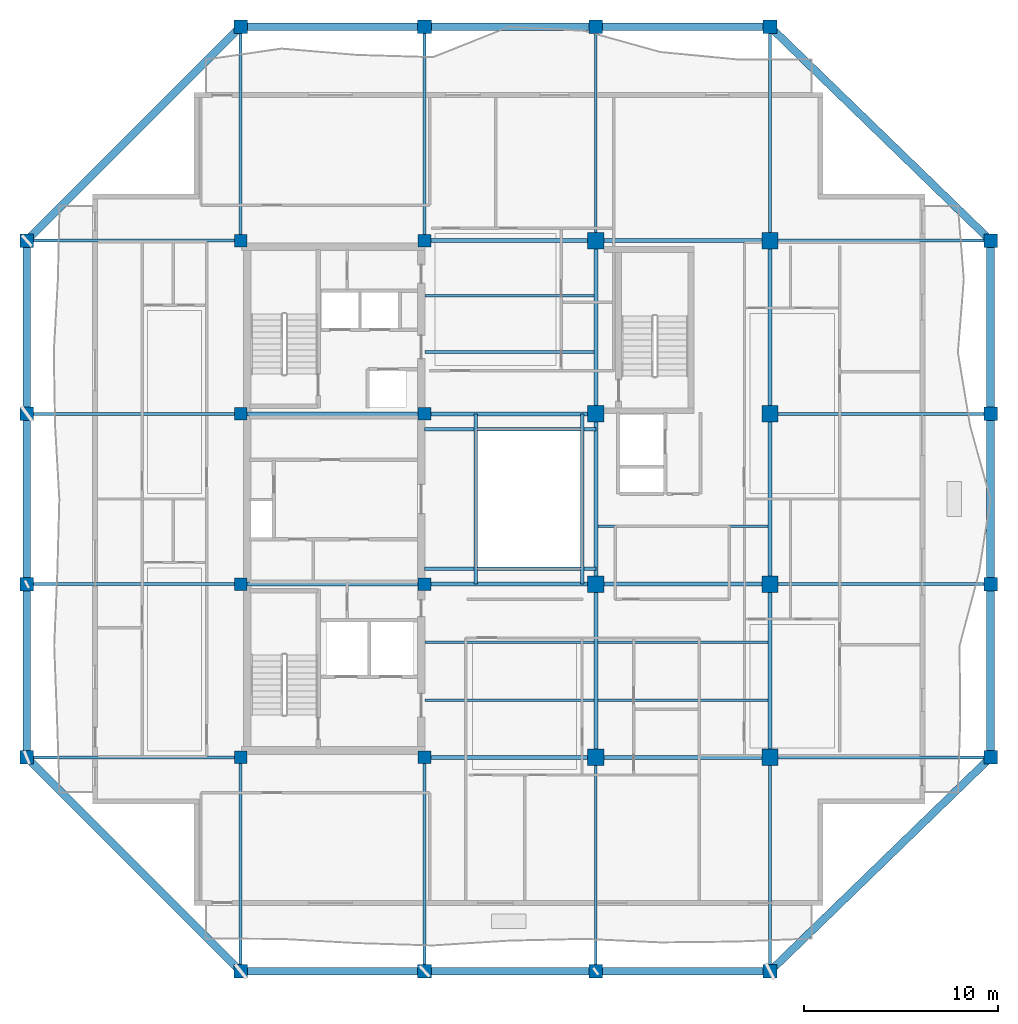
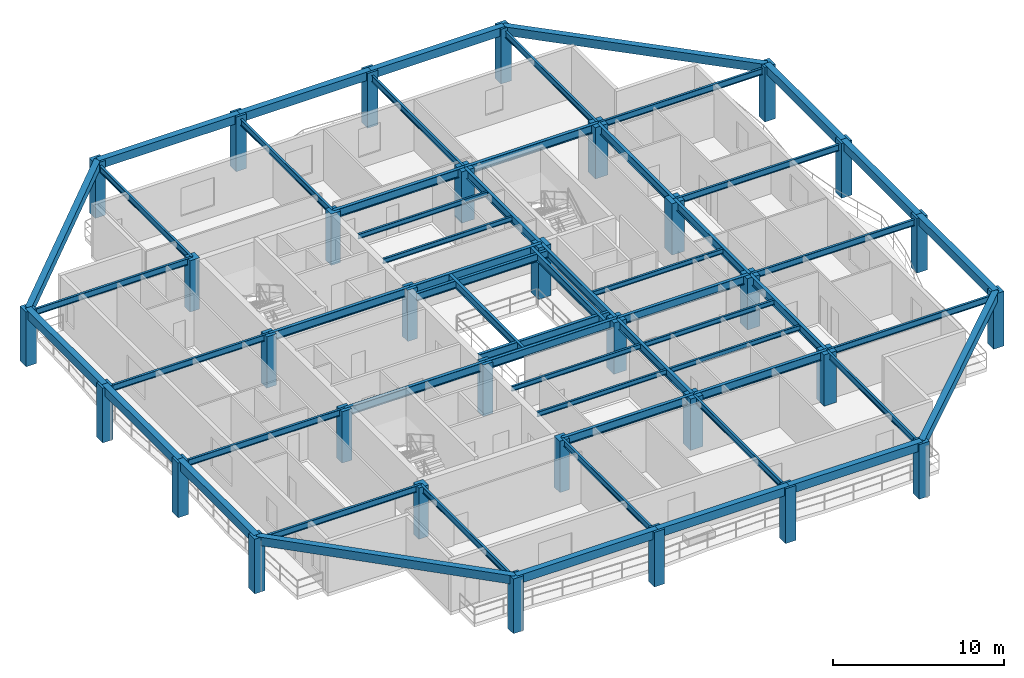
# One storey, part 1 of 11: 58 beams, 32 columns.
"""IFC4 building model written with IfcOpenShell, lengths in metres."""

import ifcopenshell
import ifcopenshell.guid

model = None  # the IFC model being written
_history = None  # IfcOwnerHistory: only IFC2X3 demands one
_inside = {}  # id of a spatial element -> (the spatial element, [elements in it])
_under = {}  # id of a project, library or spatial element -> (it, [spatial elements below it])
_declared = {}  # id of a project -> (the project, [libraries it declares])
_typed = {}  # id of a type object -> (the type object, [elements of that type])
_made_of = {}  # id of a material, layer set ... -> (it, [elements and type objects made of it])


def new_model(schema):
    """Start an empty IFC model of exactly this schema.

    Asked for "IFC4X3", IfcOpenShell would pick the latest addendum, in which some entities
    have other attributes; the version numbers below select the first issue.
    IFC2X3 requires an IfcOwnerHistory on every rooted entity: one is made here for all.
    """
    global model, _history
    if schema == "IFC4X3":
        model = ifcopenshell.file(schema_version=(4, 3, 0, 0))
    else:
        model = ifcopenshell.file(schema=schema)
    _inside.clear()
    _under.clear()
    _declared.clear()
    _typed.clear()
    _made_of.clear()
    _history = None
    if model.schema == "IFC2X3":
        org = make("IfcOrganization", Name="unknown")
        user = make(
            "IfcPersonAndOrganization",
            ThePerson=make("IfcPerson", FamilyName="unknown"),
            TheOrganization=org,
        )
        app = make(
            "IfcApplication",
            ApplicationDeveloper=org,
            Version="unknown",
            ApplicationFullName="unknown",
            ApplicationIdentifier="unknown",
        )
        _history = make(
            "IfcOwnerHistory",
            OwningUser=user,
            OwningApplication=app,
            ChangeAction="ADDED",
            CreationDate=0,
        )
    return model


def make(cls, **values):
    """One entity of the class cls with the attributes given. An attribute that is None is left unset."""
    return model.create_entity(
        cls, **{name: value for name, value in values.items() if value is not None}
    )


def rooted(cls, **values):
    """An entity with a GlobalId (a new one), such as an element, a storey or a relation."""
    return make(cls, GlobalId=ifcopenshell.guid.new(), OwnerHistory=_history, **values)


def si_unit(unit_type, name, prefix=None):
    """IfcSIUnit, for example si_unit("LENGTHUNIT", "METRE", prefix="MILLI")."""
    return make("IfcSIUnit", UnitType=unit_type, Prefix=prefix, Name=name)


def assignment(units):
    """IfcUnitAssignment: the units of a project."""
    return None if units is None else make("IfcUnitAssignment", Units=units)


def point(xyz):
    """IfcCartesianPoint."""
    return None if xyz is None else make("IfcCartesianPoint", Coordinates=xyz)


def direction(xyz):
    """IfcDirection."""
    return None if xyz is None else make("IfcDirection", DirectionRatios=xyz)


def frame(location, z_axis=None, x_axis=None):
    """IfcAxis2Placement3D, a coordinate frame: its origin and axes. An axis left out is left unset."""
    return make(
        "IfcAxis2Placement3D",
        Location=point(location),
        Axis=direction(z_axis),
        RefDirection=direction(x_axis),
    )


def frame_2d(location, x_axis=None):
    """IfcAxis2Placement2D, a coordinate frame in the plane: its origin and x axis."""
    return make(
        "IfcAxis2Placement2D", Location=point(location), RefDirection=direction(x_axis)
    )


def origin():
    """The frame at (0, 0, 0) with its axes left unset."""
    return frame((0.0, 0.0, 0.0))


def origin_2d():
    """The frame at (0, 0) in the plane with its x axis left unset."""
    return frame_2d((0.0, 0.0))


def place(relative_to, where):
    """IfcLocalPlacement: puts the frame where relative to a parent placement (None: the world)."""
    return make(
        "IfcLocalPlacement", PlacementRelTo=relative_to, RelativePlacement=where
    )


def context(
    kind, dimensions, precision=None, world=None, true_north=None, identifier=None
):
    """IfcGeometricRepresentationContext, for example the 3D "Model" context."""
    return make(
        "IfcGeometricRepresentationContext",
        ContextIdentifier=identifier,
        ContextType=kind,
        CoordinateSpaceDimension=dimensions,
        Precision=precision,
        WorldCoordinateSystem=world,
        TrueNorth=true_north,
    )


def subcontext(parent, identifier, kind, view, scale=None):
    """IfcGeometricRepresentationSubContext, for example "Body" below "Model"."""
    return make(
        "IfcGeometricRepresentationSubContext",
        ContextIdentifier=identifier,
        ContextType=kind,
        ParentContext=parent,
        TargetScale=scale,
        TargetView=view,
    )


def project(units=None, contexts=None):
    """IfcProject with its units and contexts."""
    return rooted(
        "IfcProject",
        Name="project",
        RepresentationContexts=contexts,
        UnitsInContext=assignment(units),
    )


def spatial(cls, under=None, at=None, **own):
    """A site, building, storey or space (cls), placed at a placement, below another one or the project."""
    s = rooted(cls, ObjectPlacement=at, **own)
    if under is not None:
        _under.setdefault(under.id(), (under, []))[1].append(s)
    return s


def profile(cls, at=None, kind="AREA", **sizes):
    """A parametric profile (cls). Its sizes go by their IFC names, for example OverallWidth=200.0."""
    return make(cls, ProfileType=kind, Position=at, **sizes)


def rectangle(**sizes):
    """IfcRectangleProfileDef."""
    return profile("IfcRectangleProfileDef", **sizes)


def i_section(**sizes):
    """IfcIShapeProfileDef."""
    return profile("IfcIShapeProfileDef", **sizes)


def extrude(swept, where, along, depth):
    """IfcExtrudedAreaSolid: the profile swept, set in the frame where, extruded along a direction by depth."""
    return make(
        "IfcExtrudedAreaSolid",
        SweptArea=swept,
        Position=where,
        ExtrudedDirection=direction(along),
        Depth=depth,
    )


def shape(context_of_items, identifier, shape_type, items):
    """IfcShapeRepresentation: the items that make up one representation, for example the "Body"."""
    return make(
        "IfcShapeRepresentation",
        ContextOfItems=context_of_items,
        RepresentationIdentifier=identifier,
        RepresentationType=shape_type,
        Items=items,
    )


def material(Name=None, Category=None):
    """IfcMaterial."""
    return make("IfcMaterial", Name=Name, Category=Category)


def material_profile(
    of_material, cross_section, Name=None, Category=None, Priority=None
):
    """IfcMaterialProfile: a cross section and its material."""
    return make(
        "IfcMaterialProfile",
        Name=Name,
        Material=of_material,
        Profile=cross_section,
        Priority=Priority,
        Category=Category,
    )


def profile_set(profiles, Name=None, composite=None):
    """IfcMaterialProfileSet."""
    return make(
        "IfcMaterialProfileSet",
        Name=Name,
        MaterialProfiles=profiles,
        CompositeProfile=composite,
    )


def made_of(thing, what):
    """Note that an element or type object is made of a material, layer set ...; save() writes the relation."""
    if what is not None:
        _made_of.setdefault(what.id(), (what, []))[1].append(thing)
    return thing


def type_object(cls, material=None, **own):
    """A type object (cls), such as IfcWallType, which elements share."""
    return made_of(rooted(cls, **own), material)


def element(
    cls,
    number,
    at=None,
    inside=None,
    cuts=None,
    type_object=None,
    material=None,
    context=None,
    identifier="Body",
    shape_type=None,
    held_by="IfcProductDefinitionShape",
    body=None,
    shapes=None,
    **own,
):
    """One element of the class cls, such as IfcWall. Its Tag is "e" and its number.

    at: its placement. inside: the storey or other place that contains it. cuts: it is an
    opening in that element (IfcRelVoidsElement). A single representation is given by context,
    identifier, shape_type and body (its items); several are given by shapes. held_by: the class
    of the entity that holds the representations. save() writes the other relations.
    """
    e = rooted(cls, Tag="e%d" % number, ObjectPlacement=at, **own)
    if body is not None:
        shapes = [shape(context, identifier, shape_type, body)]
    if shapes is not None:
        e.Representation = make(held_by, Representations=shapes)
    if inside is not None:
        _inside.setdefault(inside.id(), (inside, []))[1].append(e)
    if cuts is not None:
        rooted(
            "IfcRelVoidsElement", RelatingBuildingElement=cuts, RelatedOpeningElement=e
        )
    if type_object is not None:
        _typed.setdefault(type_object.id(), (type_object, []))[1].append(e)
    return made_of(e, material)


def aggregate(whole, parts):
    """IfcRelAggregates: a whole, such as a stair, and the parts it consists of."""
    return rooted("IfcRelAggregates", RelatingObject=whole, RelatedObjects=parts)


def save(model, path):
    """Write the relations noted so far, then the file.

    IfcRelAggregates (storeys below a building ...), IfcRelContainedInSpatialStructure (elements
    in a storey), IfcRelDefinesByType, IfcRelAssociatesMaterial and IfcRelDeclares: one each for
    every whole, place, type object, material and project.
    """
    for whole, parts in _under.values():
        aggregate(whole, parts)
    for where, things in _inside.values():
        rooted(
            "IfcRelContainedInSpatialStructure",
            RelatedElements=things,
            RelatingStructure=where,
        )
    for kind, things in _typed.values():
        rooted("IfcRelDefinesByType", RelatedObjects=things, RelatingType=kind)
    for what, things in _made_of.values():
        rooted("IfcRelAssociatesMaterial", RelatedObjects=things, RelatingMaterial=what)
    for by, libraries in _declared.values():
        rooted("IfcRelDeclares", RelatingContext=by, RelatedDefinitions=libraries)
    model.write(path)


model = new_model("IFC4")

# Units and contexts
model_context = context("Model", 3, precision=1e-05, world=origin(), true_north=direction((0.0, 1.0)))
body_context = subcontext(model_context, "Body", "Model", "MODEL_VIEW")
ifc_project = project(units=[si_unit("LENGTHUNIT", "METRE"), si_unit("AREAUNIT", "SQUARE_METRE"), si_unit("VOLUMEUNIT", "CUBIC_METRE"), si_unit("PLANEANGLEUNIT", "RADIAN"), si_unit("MASSUNIT", "GRAM", prefix="KILO")], contexts=[model_context])

# Site, building, storey
site_placement = place(None, origin())
site = spatial("IfcSite", under=ifc_project, at=site_placement, CompositionType="ELEMENT")
building_placement = place(site_placement, origin())
building = spatial("IfcBuilding", under=site, at=building_placement, Name="Kundavana Baori Tower", CompositionType="ELEMENT")
storey_placement = place(building_placement, frame((0.0, 0.0, 218.0)))
storey = spatial("IfcBuildingStorey", under=building, at=storey_placement, Name="L53", CompositionType="ELEMENT", Elevation=218.0)

# Columns
ifc_material_1 = material(Name="Concrete C50/60", Category="concrete")
ifc_material_profile_1 = material_profile(ifc_material_1, rectangle(XDim=0.699951171875, YDim=0.699951171875, at=origin_2d()), Name="RC PF 700x700")
ifc_profile_set_1 = profile_set([ifc_material_profile_1], Name="Concrete C50/60")
column_type_1 = type_object("IfcColumnType", Name="COL-PF-700", PredefinedType="COLUMN", material=ifc_profile_set_1)
for number, where, z_axis, x_axis, name in (
    (1, (15.449951171875, 4.199951171875, 0.0), (0.0, 0.0, 1.0), (1.0, 0.0, 0.0), "L53 Stone-Clad Perimeter Frame Column PF-S1"),
    (2, (15.449951171875, 53.0, 0.0), (0.0, 0.0, 1.0), (1.0, 0.0, 0.0), "L53 Stone-Clad Perimeter Frame Column PF-N1"),
    (3, (24.949951171875, 4.199951171875, 0.0), (0.0, 0.0, 1.0), (1.0, 0.0, 0.0), "L53 Stone-Clad Perimeter Frame Column PF-S2"),
    (4, (24.949951171875, 53.0, 0.0), (0.0, 0.0, 1.0), (1.0, 0.0, 0.0), "L53 Stone-Clad Perimeter Frame Column PF-N2"),
    (5, (33.800048828125, 4.199951171875, 0.0), (0.0, 0.0, 1.0), (1.0, 0.0, 0.0), "L53 Stone-Clad Perimeter Frame Column PF-S3"),
    (6, (33.800048828125, 53.0, 0.0), (0.0, 0.0, 1.0), (1.0, 0.0, 0.0), "L53 Stone-Clad Perimeter Frame Column PF-N3"),
    (7, (42.800048828125, 4.199951171875, 0.0), (0.0, 0.0, 1.0), (1.0, 0.0, 0.0), "L53 Stone-Clad Perimeter Frame Column PF-S4"),
    (8, (42.800048828125, 53.0, 0.0), (0.0, 0.0, 1.0), (1.0, 0.0, 0.0), "L53 Stone-Clad Perimeter Frame Column PF-N4"),
    (9, (4.39990234375, 15.25, 0.0), (0.0, 0.0, 1.0), (1.0, 0.0, 0.0), "L53 Stone-Clad Perimeter Frame Column PF-W1"),
    (10, (54.199951171875, 15.25, 0.0), (0.0, 0.0, 1.0), (1.0, 0.0, 0.0), "L53 Stone-Clad Perimeter Frame Column PF-E1"),
    (11, (4.39990234375, 24.199951171875, 0.0), (0.0, 0.0, 1.0), (1.0, 0.0, 0.0), "L53 Stone-Clad Perimeter Frame Column PF-W2"),
    (12, (54.199951171875, 24.199951171875, 0.0), (0.0, 0.0, 1.0), (1.0, 0.0, 0.0), "L53 Stone-Clad Perimeter Frame Column PF-E2"),
    (13, (4.39990234375, 33.0, 0.0), (0.0, 0.0, 1.0), (1.0, 0.0, 0.0), "L53 Stone-Clad Perimeter Frame Column PF-W3"),
    (14, (54.199951171875, 33.0, 0.0), (0.0, 0.0, 1.0), (1.0, 0.0, 0.0), "L53 Stone-Clad Perimeter Frame Column PF-E3"),
    (15, (4.39990234375, 41.949951171875, 0.0), (0.0, 0.0, 1.0), (1.0, 0.0, 0.0), "L53 Stone-Clad Perimeter Frame Column PF-W4"),
    (16, (54.199951171875, 41.949951171875, 0.0), (0.0, 0.0, 1.0), (1.0, 0.0, 0.0), "L53 Stone-Clad Perimeter Frame Column PF-E4"),
):
    element("IfcColumn", number, at=place(storey_placement, frame(where, z_axis=z_axis, x_axis=x_axis)), inside=storey, type_object=column_type_1, Name=name, PredefinedType="COLUMN", context=body_context, shape_type="SweptSolid", body=[
        extrude(rectangle(XDim=0.699951171875, YDim=0.699951171875, at=origin_2d()), origin(), (0.0, 0.0, 1.0), 3.89990234375),
    ])
ifc_material_2 = material(Name="Concrete C50/60", Category="concrete")
ifc_material_profile_2 = material_profile(ifc_material_2, rectangle(XDim=0.64990234375, YDim=0.64990234375, at=origin_2d()), Name="RC 650x650")
ifc_profile_set_2 = profile_set([ifc_material_profile_2], Name="Concrete C50/60")
column_type_2 = type_object("IfcColumnType", Name="COL-RC-650", PredefinedType="COLUMN", material=ifc_profile_set_2)
for number, where, z_axis, x_axis, name in (
    (17, (15.449951171875, 15.25, 0.0), (0.0, 0.0, 1.0), (1.0, 0.0, 0.0), "L53 Interior Column IC-3C"),
    (18, (15.449951171875, 24.199951171875, 0.0), (0.0, 0.0, 1.0), (1.0, 0.0, 0.0), "L53 Interior Column IC-3D"),
    (19, (15.449951171875, 33.0, 0.0), (0.0, 0.0, 1.0), (1.0, 0.0, 0.0), "L53 Interior Column IC-3E"),
    (20, (15.449951171875, 41.949951171875, 0.0), (0.0, 0.0, 1.0), (1.0, 0.0, 0.0), "L53 Interior Column IC-3F"),
    (21, (24.949951171875, 15.25, 0.0), (0.0, 0.0, 1.0), (1.0, 0.0, 0.0), "L53 Interior Column IC-4C"),
    (22, (24.949951171875, 24.199951171875, 0.0), (0.0, 0.0, 1.0), (1.0, 0.0, 0.0), "L53 Interior Column IC-4D"),
    (23, (24.949951171875, 33.0, 0.0), (0.0, 0.0, 1.0), (1.0, 0.0, 0.0), "L53 Interior Column IC-4E"),
    (24, (24.949951171875, 41.949951171875, 0.0), (0.0, 0.0, 1.0), (1.0, 0.0, 0.0), "L53 Interior Column IC-4F"),
):
    element("IfcColumn", number, at=place(storey_placement, frame(where, z_axis=z_axis, x_axis=x_axis)), inside=storey, type_object=column_type_2, Name=name, PredefinedType="COLUMN", context=body_context, shape_type="SweptSolid", body=[
        extrude(rectangle(XDim=0.64990234375, YDim=0.64990234375, at=origin_2d()), origin(), (0.0, 0.0, 1.0), 3.659912109375),
    ])
ifc_material_3 = material(Name="Concrete C50/60", Category="concrete")
ifc_material_profile_3 = material_profile(ifc_material_3, rectangle(XDim=0.85009765625, YDim=0.85009765625, at=origin_2d()), Name="RC 850x850")
ifc_profile_set_3 = profile_set([ifc_material_profile_3], Name="Concrete C50/60")
column_type_3 = type_object("IfcColumnType", Name="COL-RC-850", PredefinedType="COLUMN", material=ifc_profile_set_3)
for number, where, z_axis, x_axis, name in (
    (25, (33.800048828125, 15.25, 0.0), (0.0, 0.0, 1.0), (1.0, 0.0, 0.0), "L53 Interior Column IC-5C"),
    (26, (33.800048828125, 24.199951171875, 0.0), (0.0, 0.0, 1.0), (1.0, 0.0, 0.0), "L53 Interior Column IC-5D"),
    (27, (33.800048828125, 33.0, 0.0), (0.0, 0.0, 1.0), (1.0, 0.0, 0.0), "L53 Interior Column IC-5E"),
    (28, (33.800048828125, 41.949951171875, 0.0), (0.0, 0.0, 1.0), (1.0, 0.0, 0.0), "L53 Interior Column IC-5F"),
    (29, (42.800048828125, 15.25, 0.0), (0.0, 0.0, 1.0), (1.0, 0.0, 0.0), "L53 Interior Column IC-6C"),
    (30, (42.800048828125, 24.199951171875, 0.0), (0.0, 0.0, 1.0), (1.0, 0.0, 0.0), "L53 Interior Column IC-6D"),
    (31, (42.800048828125, 33.0, 0.0), (0.0, 0.0, 1.0), (1.0, 0.0, 0.0), "L53 Interior Column IC-6E"),
    (32, (42.800048828125, 41.949951171875, 0.0), (0.0, 0.0, 1.0), (1.0, 0.0, 0.0), "L53 Interior Column IC-6F"),
):
    element("IfcColumn", number, at=place(storey_placement, frame(where, z_axis=z_axis, x_axis=x_axis)), inside=storey, type_object=column_type_3, Name=name, PredefinedType="COLUMN", context=body_context, shape_type="SweptSolid", body=[
        extrude(rectangle(XDim=0.85009765625, YDim=0.85009765625, at=origin_2d()), origin(), (0.0, 0.0, 1.0), 3.659912109375),
    ])

# Beams
ifc_material_4 = material(Name="Structural Steel S355JR", Category="steel")
ifc_material_profile_4 = material_profile(ifc_material_4, i_section(OverallWidth=0.139892578125, OverallDepth=0.35009765625, WebThickness=0.008056640625, FlangeThickness=0.01416015625, FilletRadius=0.013916015625, at=origin_2d()), Name="ISMB 350")
ifc_profile_set_4 = profile_set([ifc_material_profile_4], Name="Structural Steel S355JR")
beam_type_1 = type_object("IfcBeamType", Name="BM-JST-350", PredefinedType="JOIST", material=ifc_profile_set_4)
for number, where, z_axis, x_axis, name in (
    (33, (24.97998046875, 18.199951171875, 3.485107421875), (1.0, 0.0, 0.0), (0.0, 1.0, 0.0), "L53 Central Bay Composite Floor Joist C1"),
    (34, (24.97998046875, 21.199951171875, 3.485107421875), (1.0, 0.0, 0.0), (0.0, 1.0, 0.0), "L53 Central Bay Composite Floor Joist C2"),
    (35, (24.97998046875, 36.199951171875, 3.485107421875), (1.0, 0.0, 0.0), (0.0, 1.0, 0.0), "L53 Central Bay Composite Floor Joist C3"),
    (36, (24.97998046875, 39.10009765625, 3.485107421875), (1.0, 0.0, 0.0), (0.0, 1.0, 0.0), "L53 Central Bay Composite Floor Joist C4"),
):
    element("IfcBeam", number, at=place(storey_placement, frame(where, z_axis=z_axis, x_axis=x_axis)), inside=storey, type_object=beam_type_1, Name=name, PredefinedType="JOIST", context=body_context, shape_type="SweptSolid", body=[
        extrude(i_section(OverallWidth=0.139892578125, OverallDepth=0.35009765625, WebThickness=0.008056640625, FlangeThickness=0.01416015625, FilletRadius=0.013916015625, at=origin_2d()), origin(), (0.0, 0.0, 1.0), 8.715087890625),
    ])
for number, where, z_axis, x_axis, name in (
    (37, (33.905029296875, 18.199951171875, 3.485107421875), (1.0, 0.0, 0.0), (0.0, 1.0, 0.0), "L53 East Bay Composite Floor Joist E1"),
    (38, (33.905029296875, 21.199951171875, 3.485107421875), (1.0, 0.0, 0.0), (0.0, 1.0, 0.0), "L53 East Bay Composite Floor Joist E2"),
    (39, (33.905029296875, 27.199951171875, 3.485107421875), (1.0, 0.0, 0.0), (0.0, 1.0, 0.0), "L53 East Bay Composite Floor Joist E3"),
):
    element("IfcBeam", number, at=place(storey_placement, frame(where, z_axis=z_axis, x_axis=x_axis)), inside=storey, type_object=beam_type_1, Name=name, PredefinedType="JOIST", context=body_context, shape_type="SweptSolid", body=[
        extrude(i_section(OverallWidth=0.139892578125, OverallDepth=0.35009765625, WebThickness=0.008056640625, FlangeThickness=0.01416015625, FilletRadius=0.013916015625, at=origin_2d()), origin(), (0.0, 0.0, 1.0), 8.7900390625),
    ])
ifc_material_5 = material(Name="Concrete C50/60", Category="concrete")
ifc_material_profile_5 = material_profile(ifc_material_5, rectangle(XDim=0.39990234375, YDim=0.60009765625, at=origin_2d()), Name="RC BM 400x600")
ifc_profile_set_5 = profile_set([ifc_material_profile_5], Name="Concrete C50/60")
beam_type_2 = type_object("IfcBeamType", Name="BM-PF-600", PredefinedType="SPANDREL", material=ifc_profile_set_5)
beam_1_placement = place(storey_placement, frame((15.449951171875, 4.199951171875, 3.60009765625), z_axis=(1.0, 0.0, 0.0), x_axis=(0.0, 1.0, 0.0)))
element("IfcBeam", 40, at=beam_1_placement, inside=storey, type_object=beam_type_2, Name="L53 Perimeter Frame Ring Beam S1", PredefinedType="SPANDREL", context=body_context, shape_type="SweptSolid", body=[
    extrude(rectangle(XDim=0.39990234375, YDim=0.60009765625, at=origin_2d()), origin(), (0.0, 0.0, 1.0), 9.5),
])
beam_2_placement = place(storey_placement, frame((24.949951171875, 4.199951171875, 3.60009765625), z_axis=(1.0, 0.0, 0.0), x_axis=(0.0, 1.0, 0.0)))
element("IfcBeam", 41, at=beam_2_placement, inside=storey, type_object=beam_type_2, Name="L53 Perimeter Frame Ring Beam S2", PredefinedType="SPANDREL", context=body_context, shape_type="SweptSolid", body=[
    extrude(rectangle(XDim=0.39990234375, YDim=0.60009765625, at=origin_2d()), origin(), (0.0, 0.0, 1.0), 8.85009765625),
])
beam_3_placement = place(storey_placement, frame((33.800048828125, 4.199951171875, 3.60009765625), z_axis=(1.0, 0.0, 0.0), x_axis=(0.0, 1.0, 0.0)))
element("IfcBeam", 42, at=beam_3_placement, inside=storey, type_object=beam_type_2, Name="L53 Perimeter Frame Ring Beam S3", PredefinedType="SPANDREL", context=body_context, shape_type="SweptSolid", body=[
    extrude(rectangle(XDim=0.39990234375, YDim=0.60009765625, at=origin_2d()), origin(), (0.0, 0.0, 1.0), 9.0),
])
beam_4_placement = place(storey_placement, frame((15.449951171875, 53.0, 3.60009765625), z_axis=(1.0, 0.0, 0.0), x_axis=(0.0, 1.0, 0.0)))
element("IfcBeam", 43, at=beam_4_placement, inside=storey, type_object=beam_type_2, Name="L53 Perimeter Frame Ring Beam N1", PredefinedType="SPANDREL", context=body_context, shape_type="SweptSolid", body=[
    extrude(rectangle(XDim=0.39990234375, YDim=0.60009765625, at=origin_2d()), origin(), (0.0, 0.0, 1.0), 9.5),
])
beam_5_placement = place(storey_placement, frame((24.949951171875, 53.0, 3.60009765625), z_axis=(1.0, 0.0, 0.0), x_axis=(0.0, 1.0, 0.0)))
element("IfcBeam", 44, at=beam_5_placement, inside=storey, type_object=beam_type_2, Name="L53 Perimeter Frame Ring Beam N2", PredefinedType="SPANDREL", context=body_context, shape_type="SweptSolid", body=[
    extrude(rectangle(XDim=0.39990234375, YDim=0.60009765625, at=origin_2d()), origin(), (0.0, 0.0, 1.0), 8.85009765625),
])
beam_6_placement = place(storey_placement, frame((33.800048828125, 53.0, 3.60009765625), z_axis=(1.0, 0.0, 0.0), x_axis=(0.0, 1.0, 0.0)))
element("IfcBeam", 45, at=beam_6_placement, inside=storey, type_object=beam_type_2, Name="L53 Perimeter Frame Ring Beam N3", PredefinedType="SPANDREL", context=body_context, shape_type="SweptSolid", body=[
    extrude(rectangle(XDim=0.39990234375, YDim=0.60009765625, at=origin_2d()), origin(), (0.0, 0.0, 1.0), 9.0),
])
beam_7_placement = place(storey_placement, frame((4.39990234375, 15.25, 3.60009765625), z_axis=(0.0, 1.0, 0.0), x_axis=(-1.0, 0.0, 0.0)))
element("IfcBeam", 46, at=beam_7_placement, inside=storey, type_object=beam_type_2, Name="L53 Perimeter Frame Ring Beam W1", PredefinedType="SPANDREL", context=body_context, shape_type="SweptSolid", body=[
    extrude(rectangle(XDim=0.39990234375, YDim=0.60009765625, at=origin_2d()), origin(), (0.0, 0.0, 1.0), 8.949951171875),
])
beam_8_placement = place(storey_placement, frame((4.39990234375, 24.199951171875, 3.60009765625), z_axis=(0.0, 1.0, 0.0), x_axis=(-1.0, 0.0, 0.0)))
element("IfcBeam", 47, at=beam_8_placement, inside=storey, type_object=beam_type_2, Name="L53 Perimeter Frame Ring Beam W2", PredefinedType="SPANDREL", context=body_context, shape_type="SweptSolid", body=[
    extrude(rectangle(XDim=0.39990234375, YDim=0.60009765625, at=origin_2d()), origin(), (0.0, 0.0, 1.0), 8.800048828125),
])
for number, where, z_axis, x_axis, name in (
    (48, (4.39990234375, 33.0, 3.60009765625), (0.0, 1.0, 0.0), (-1.0, 0.0, 0.0), "L53 Perimeter Frame Ring Beam W3"),
    (49, (54.199951171875, 15.25, 3.60009765625), (0.0, 1.0, 0.0), (-1.0, 0.0, 0.0), "L53 Perimeter Frame Ring Beam E1"),
):
    element("IfcBeam", number, at=place(storey_placement, frame(where, z_axis=z_axis, x_axis=x_axis)), inside=storey, type_object=beam_type_2, Name=name, PredefinedType="SPANDREL", context=body_context, shape_type="SweptSolid", body=[
        extrude(rectangle(XDim=0.39990234375, YDim=0.60009765625, at=origin_2d()), origin(), (0.0, 0.0, 1.0), 8.949951171875),
    ])
beam_9_placement = place(storey_placement, frame((54.199951171875, 24.199951171875, 3.60009765625), z_axis=(0.0, 1.0, 0.0), x_axis=(-1.0, 0.0, 0.0)))
element("IfcBeam", 50, at=beam_9_placement, inside=storey, type_object=beam_type_2, Name="L53 Perimeter Frame Ring Beam E2", PredefinedType="SPANDREL", context=body_context, shape_type="SweptSolid", body=[
    extrude(rectangle(XDim=0.39990234375, YDim=0.60009765625, at=origin_2d()), origin(), (0.0, 0.0, 1.0), 8.800048828125),
])
beam_10_placement = place(storey_placement, frame((54.199951171875, 33.0, 3.60009765625), z_axis=(0.0, 1.0, 0.0), x_axis=(-1.0, 0.0, 0.0)))
element("IfcBeam", 51, at=beam_10_placement, inside=storey, type_object=beam_type_2, Name="L53 Perimeter Frame Ring Beam E3", PredefinedType="SPANDREL", context=body_context, shape_type="SweptSolid", body=[
    extrude(rectangle(XDim=0.39990234375, YDim=0.60009765625, at=origin_2d()), origin(), (0.0, 0.0, 1.0), 8.949951171875),
])
beam_11_placement = place(storey_placement, frame((15.449951171875, 4.199951171875, 3.60009765625), z_axis=(-0.707106781187, 0.707106781187, 0.0), x_axis=(-0.707106781187, -0.707106781187, 0.0)))
element("IfcBeam", 52, at=beam_11_placement, inside=storey, type_object=beam_type_2, Name="L53 Notched Corner Perimeter Beam SW", PredefinedType="SPANDREL", context=body_context, shape_type="SweptSolid", body=[
    extrude(rectangle(XDim=0.39990234375, YDim=0.60009765625, at=origin_2d()), origin(), (0.0, 0.0, 1.0), 15.627197265625),
])
beam_12_placement = place(storey_placement, frame((42.800048828125, 4.199951171875, 3.60009765625), z_axis=(0.718038944492, 0.696002926857, 0.0), x_axis=(-0.696002926857, 0.718038944492, 0.0)))
element("IfcBeam", 53, at=beam_12_placement, inside=storey, type_object=beam_type_2, Name="L53 Notched Corner Perimeter Beam SE", PredefinedType="SPANDREL", context=body_context, shape_type="SweptSolid", body=[
    extrude(rectangle(XDim=0.39990234375, YDim=0.60009765625, at=origin_2d()), origin(), (0.0, 0.0, 1.0), 15.87646484375),
])
beam_13_placement = place(storey_placement, frame((15.449951171875, 53.0, 3.60009765625), z_axis=(-0.707106781187, -0.707106781187, 0.0), x_axis=(0.707106781187, -0.707106781187, 0.0)))
element("IfcBeam", 54, at=beam_13_placement, inside=storey, type_object=beam_type_2, Name="L53 Notched Corner Perimeter Beam NW", PredefinedType="SPANDREL", context=body_context, shape_type="SweptSolid", body=[
    extrude(rectangle(XDim=0.39990234375, YDim=0.60009765625, at=origin_2d()), origin(), (0.0, 0.0, 1.0), 15.627197265625),
])
beam_14_placement = place(storey_placement, frame((42.800048828125, 53.0, 3.60009765625), z_axis=(0.718038944492, -0.696002926857, 0.0), x_axis=(0.696002926857, 0.718038944492, 0.0)))
element("IfcBeam", 55, at=beam_14_placement, inside=storey, type_object=beam_type_2, Name="L53 Notched Corner Perimeter Beam NE", PredefinedType="SPANDREL", context=body_context, shape_type="SweptSolid", body=[
    extrude(rectangle(XDim=0.39990234375, YDim=0.60009765625, at=origin_2d()), origin(), (0.0, 0.0, 1.0), 15.87646484375),
])
ifc_material_6 = material(Name="Structural Steel S355JR", Category="steel")
ifc_material_profile_6 = material_profile(ifc_material_6, i_section(OverallWidth=0.18994140625, OverallDepth=0.550048828125, WebThickness=0.01123046875, FlangeThickness=0.019287109375, FilletRadius=0.01806640625, at=origin_2d()), Name="ISMB 550")
ifc_profile_set_6 = profile_set([ifc_material_profile_6], Name="Structural Steel S355JR")
beam_type_3 = type_object("IfcBeamType", Name="BM-ST-550", PredefinedType="BEAM", material=ifc_profile_set_6)
for number, where, z_axis, x_axis, name in (
    (56, (27.60009765625, 24.199951171875, 3.385009765625), (0.0, 1.0, 0.0), (-1.0, 0.0, 0.0), "L53 Atrium West Edge Beam"),
    (57, (33.10009765625, 24.199951171875, 3.385009765625), (0.0, 1.0, 0.0), (-1.0, 0.0, 0.0), "L53 Atrium East Edge Beam"),
):
    element("IfcBeam", number, at=place(storey_placement, frame(where, z_axis=z_axis, x_axis=x_axis)), inside=storey, type_object=beam_type_3, Name=name, PredefinedType="BEAM", context=body_context, shape_type="SweptSolid", body=[
        extrude(i_section(OverallWidth=0.18994140625, OverallDepth=0.550048828125, WebThickness=0.01123046875, FlangeThickness=0.019287109375, FilletRadius=0.01806640625, at=origin_2d()), origin(), (0.0, 0.0, 1.0), 8.800048828125),
    ])
for number, where, z_axis, x_axis, name in (
    (58, (24.949951171875, 25.0, 3.385009765625), (1.0, 0.0, 0.0), (0.0, 1.0, 0.0), "L53 Atrium South Edge Beam"),
    (59, (24.949951171875, 32.199951171875, 3.385009765625), (1.0, 0.0, 0.0), (0.0, 1.0, 0.0), "L53 Atrium North Edge Beam"),
):
    element("IfcBeam", number, at=place(storey_placement, frame(where, z_axis=z_axis, x_axis=x_axis)), inside=storey, type_object=beam_type_3, Name=name, PredefinedType="BEAM", context=body_context, shape_type="SweptSolid", body=[
        extrude(i_section(OverallWidth=0.18994140625, OverallDepth=0.550048828125, WebThickness=0.01123046875, FlangeThickness=0.019287109375, FilletRadius=0.01806640625, at=origin_2d()), origin(), (0.0, 0.0, 1.0), 8.85009765625),
    ])
ifc_material_7 = material(Name="Structural Steel S355JR", Category="steel")
ifc_material_profile_7 = material_profile(ifc_material_7, i_section(OverallWidth=0.2099609375, OverallDepth=0.60009765625, WebThickness=0.011962890625, FlangeThickness=0.020751953125, FilletRadius=0.02001953125, at=origin_2d()), Name="ISMB 600")
ifc_profile_set_7 = profile_set([ifc_material_profile_7], Name="Structural Steel S355JR")
beam_type_4 = type_object("IfcBeamType", Name="BM-ST-600", PredefinedType="BEAM", material=ifc_profile_set_7)
beam_15_placement = place(storey_placement, frame((24.949951171875, 15.25, 3.360107421875), z_axis=(1.0, 0.0, 0.0), x_axis=(0.0, 1.0, 0.0)))
element("IfcBeam", 60, at=beam_15_placement, inside=storey, type_object=beam_type_4, Name="L53 Primary Grid Girder GX-1-2", PredefinedType="BEAM", context=body_context, shape_type="SweptSolid", body=[
    extrude(i_section(OverallWidth=0.2099609375, OverallDepth=0.60009765625, WebThickness=0.011962890625, FlangeThickness=0.020751953125, FilletRadius=0.02001953125, at=origin_2d()), origin(), (0.0, 0.0, 1.0), 8.85009765625),
])
beam_16_placement = place(storey_placement, frame((33.800048828125, 15.25, 3.360107421875), z_axis=(1.0, 0.0, 0.0), x_axis=(0.0, 1.0, 0.0)))
element("IfcBeam", 61, at=beam_16_placement, inside=storey, type_object=beam_type_4, Name="L53 Primary Grid Girder GX-1-3", PredefinedType="BEAM", context=body_context, shape_type="SweptSolid", body=[
    extrude(i_section(OverallWidth=0.2099609375, OverallDepth=0.60009765625, WebThickness=0.011962890625, FlangeThickness=0.020751953125, FilletRadius=0.02001953125, at=origin_2d()), origin(), (0.0, 0.0, 1.0), 9.0),
])
beam_17_placement = place(storey_placement, frame((15.449951171875, 24.199951171875, 3.360107421875), z_axis=(1.0, 0.0, 0.0), x_axis=(0.0, 1.0, 0.0)))
element("IfcBeam", 62, at=beam_17_placement, inside=storey, type_object=beam_type_4, Name="L53 Primary Grid Girder GX-2-1", PredefinedType="BEAM", context=body_context, shape_type="SweptSolid", body=[
    extrude(i_section(OverallWidth=0.2099609375, OverallDepth=0.60009765625, WebThickness=0.011962890625, FlangeThickness=0.020751953125, FilletRadius=0.02001953125, at=origin_2d()), origin(), (0.0, 0.0, 1.0), 9.5),
])
beam_18_placement = place(storey_placement, frame((24.949951171875, 24.199951171875, 3.360107421875), z_axis=(1.0, 0.0, 0.0), x_axis=(0.0, 1.0, 0.0)))
element("IfcBeam", 63, at=beam_18_placement, inside=storey, type_object=beam_type_4, Name="L53 Primary Grid Girder GX-2-2", PredefinedType="BEAM", context=body_context, shape_type="SweptSolid", body=[
    extrude(i_section(OverallWidth=0.2099609375, OverallDepth=0.60009765625, WebThickness=0.011962890625, FlangeThickness=0.020751953125, FilletRadius=0.02001953125, at=origin_2d()), origin(), (0.0, 0.0, 1.0), 8.85009765625),
])
beam_19_placement = place(storey_placement, frame((33.800048828125, 24.199951171875, 3.360107421875), z_axis=(1.0, 0.0, 0.0), x_axis=(0.0, 1.0, 0.0)))
element("IfcBeam", 64, at=beam_19_placement, inside=storey, type_object=beam_type_4, Name="L53 Primary Grid Girder GX-2-3", PredefinedType="BEAM", context=body_context, shape_type="SweptSolid", body=[
    extrude(i_section(OverallWidth=0.2099609375, OverallDepth=0.60009765625, WebThickness=0.011962890625, FlangeThickness=0.020751953125, FilletRadius=0.02001953125, at=origin_2d()), origin(), (0.0, 0.0, 1.0), 9.0),
])
beam_20_placement = place(storey_placement, frame((15.449951171875, 33.0, 3.360107421875), z_axis=(1.0, 0.0, 0.0), x_axis=(0.0, 1.0, 0.0)))
element("IfcBeam", 65, at=beam_20_placement, inside=storey, type_object=beam_type_4, Name="L53 Primary Grid Girder GX-3-1", PredefinedType="BEAM", context=body_context, shape_type="SweptSolid", body=[
    extrude(i_section(OverallWidth=0.2099609375, OverallDepth=0.60009765625, WebThickness=0.011962890625, FlangeThickness=0.020751953125, FilletRadius=0.02001953125, at=origin_2d()), origin(), (0.0, 0.0, 1.0), 9.5),
])
for number, where, z_axis, x_axis, name in (
    (66, (24.949951171875, 33.0, 3.360107421875), (1.0, 0.0, 0.0), (0.0, 1.0, 0.0), "L53 Primary Grid Girder GX-3-2"),
    (67, (24.949951171875, 41.949951171875, 3.360107421875), (1.0, 0.0, 0.0), (0.0, 1.0, 0.0), "L53 Primary Grid Girder GX-4-2"),
):
    element("IfcBeam", number, at=place(storey_placement, frame(where, z_axis=z_axis, x_axis=x_axis)), inside=storey, type_object=beam_type_4, Name=name, PredefinedType="BEAM", context=body_context, shape_type="SweptSolid", body=[
        extrude(i_section(OverallWidth=0.2099609375, OverallDepth=0.60009765625, WebThickness=0.011962890625, FlangeThickness=0.020751953125, FilletRadius=0.02001953125, at=origin_2d()), origin(), (0.0, 0.0, 1.0), 8.85009765625),
    ])
beam_21_placement = place(storey_placement, frame((33.800048828125, 41.949951171875, 3.360107421875), z_axis=(1.0, 0.0, 0.0), x_axis=(0.0, 1.0, 0.0)))
element("IfcBeam", 68, at=beam_21_placement, inside=storey, type_object=beam_type_4, Name="L53 Primary Grid Girder GX-4-3", PredefinedType="BEAM", context=body_context, shape_type="SweptSolid", body=[
    extrude(i_section(OverallWidth=0.2099609375, OverallDepth=0.60009765625, WebThickness=0.011962890625, FlangeThickness=0.020751953125, FilletRadius=0.02001953125, at=origin_2d()), origin(), (0.0, 0.0, 1.0), 9.0),
])
beam_22_placement = place(storey_placement, frame((33.800048828125, 15.25, 3.360107421875), z_axis=(0.0, 1.0, 0.0), x_axis=(-1.0, 0.0, 0.0)))
element("IfcBeam", 69, at=beam_22_placement, inside=storey, type_object=beam_type_4, Name="L53 Primary Grid Girder GY-3-1", PredefinedType="BEAM", context=body_context, shape_type="SweptSolid", body=[
    extrude(i_section(OverallWidth=0.2099609375, OverallDepth=0.60009765625, WebThickness=0.011962890625, FlangeThickness=0.020751953125, FilletRadius=0.02001953125, at=origin_2d()), origin(), (0.0, 0.0, 1.0), 8.949951171875),
])
beam_23_placement = place(storey_placement, frame((33.800048828125, 24.199951171875, 3.360107421875), z_axis=(0.0, 1.0, 0.0), x_axis=(-1.0, 0.0, 0.0)))
element("IfcBeam", 70, at=beam_23_placement, inside=storey, type_object=beam_type_4, Name="L53 Primary Grid Girder GY-3-2", PredefinedType="BEAM", context=body_context, shape_type="SweptSolid", body=[
    extrude(i_section(OverallWidth=0.2099609375, OverallDepth=0.60009765625, WebThickness=0.011962890625, FlangeThickness=0.020751953125, FilletRadius=0.02001953125, at=origin_2d()), origin(), (0.0, 0.0, 1.0), 8.800048828125),
])
for number, where, z_axis, x_axis, name in (
    (71, (33.800048828125, 33.0, 3.360107421875), (0.0, 1.0, 0.0), (-1.0, 0.0, 0.0), "L53 Primary Grid Girder GY-3-3"),
    (72, (42.800048828125, 15.25, 3.360107421875), (0.0, 1.0, 0.0), (-1.0, 0.0, 0.0), "L53 Primary Grid Girder GY-4-1"),
):
    element("IfcBeam", number, at=place(storey_placement, frame(where, z_axis=z_axis, x_axis=x_axis)), inside=storey, type_object=beam_type_4, Name=name, PredefinedType="BEAM", context=body_context, shape_type="SweptSolid", body=[
        extrude(i_section(OverallWidth=0.2099609375, OverallDepth=0.60009765625, WebThickness=0.011962890625, FlangeThickness=0.020751953125, FilletRadius=0.02001953125, at=origin_2d()), origin(), (0.0, 0.0, 1.0), 8.949951171875),
    ])
beam_24_placement = place(storey_placement, frame((42.800048828125, 24.199951171875, 3.360107421875), z_axis=(0.0, 1.0, 0.0), x_axis=(-1.0, 0.0, 0.0)))
element("IfcBeam", 73, at=beam_24_placement, inside=storey, type_object=beam_type_4, Name="L53 Primary Grid Girder GY-4-2", PredefinedType="BEAM", context=body_context, shape_type="SweptSolid", body=[
    extrude(i_section(OverallWidth=0.2099609375, OverallDepth=0.60009765625, WebThickness=0.011962890625, FlangeThickness=0.020751953125, FilletRadius=0.02001953125, at=origin_2d()), origin(), (0.0, 0.0, 1.0), 8.800048828125),
])
beam_25_placement = place(storey_placement, frame((42.800048828125, 33.0, 3.360107421875), z_axis=(0.0, 1.0, 0.0), x_axis=(-1.0, 0.0, 0.0)))
element("IfcBeam", 74, at=beam_25_placement, inside=storey, type_object=beam_type_4, Name="L53 Primary Grid Girder GY-4-3", PredefinedType="BEAM", context=body_context, shape_type="SweptSolid", body=[
    extrude(i_section(OverallWidth=0.2099609375, OverallDepth=0.60009765625, WebThickness=0.011962890625, FlangeThickness=0.020751953125, FilletRadius=0.02001953125, at=origin_2d()), origin(), (0.0, 0.0, 1.0), 8.949951171875),
])
ifc_material_8 = material(Name="Structural Steel S355JR", Category="steel")
ifc_material_profile_8 = material_profile(ifc_material_8, i_section(OverallWidth=0.14990234375, OverallDepth=0.449951171875, WebThickness=0.009521484375, FlangeThickness=0.017333984375, FilletRadius=0.014892578125, at=origin_2d()), Name="ISMB 450")
ifc_profile_set_8 = profile_set([ifc_material_profile_8], Name="Structural Steel S355JR")
beam_type_5 = type_object("IfcBeamType", Name="BM-TIE-450", PredefinedType="BEAM", material=ifc_profile_set_8)
for number, where, z_axis, x_axis, name in (
    (75, (15.449951171875, 15.25, 3.43505859375), (0.0, -1.0, 0.0), (1.0, 0.0, 0.0), "L53 South Radial Loggia Tie Beam S1"),
    (76, (15.449951171875, 41.949951171875, 3.43505859375), (0.0, 1.0, 0.0), (-1.0, 0.0, 0.0), "L53 North Radial Loggia Tie Beam N1"),
    (77, (24.949951171875, 15.25, 3.43505859375), (0.0, -1.0, 0.0), (1.0, 0.0, 0.0), "L53 South Radial Loggia Tie Beam S2"),
    (78, (24.949951171875, 41.949951171875, 3.43505859375), (0.0, 1.0, 0.0), (-1.0, 0.0, 0.0), "L53 North Radial Loggia Tie Beam N2"),
    (79, (33.800048828125, 15.25, 3.43505859375), (0.0, -1.0, 0.0), (1.0, 0.0, 0.0), "L53 South Radial Loggia Tie Beam S3"),
    (80, (33.800048828125, 41.949951171875, 3.43505859375), (0.0, 1.0, 0.0), (-1.0, 0.0, 0.0), "L53 North Radial Loggia Tie Beam N3"),
    (81, (42.800048828125, 15.25, 3.43505859375), (0.0, -1.0, 0.0), (1.0, 0.0, 0.0), "L53 South Radial Loggia Tie Beam S4"),
    (82, (42.800048828125, 41.949951171875, 3.43505859375), (0.0, 1.0, 0.0), (-1.0, 0.0, 0.0), "L53 North Radial Loggia Tie Beam N4"),
    (83, (15.449951171875, 15.25, 3.43505859375), (-1.0, 0.0, 0.0), (0.0, -1.0, 0.0), "L53 West Radial Loggia Tie Beam W1"),
):
    element("IfcBeam", number, at=place(storey_placement, frame(where, z_axis=z_axis, x_axis=x_axis)), inside=storey, type_object=beam_type_5, Name=name, PredefinedType="BEAM", context=body_context, shape_type="SweptSolid", body=[
        extrude(i_section(OverallWidth=0.14990234375, OverallDepth=0.449951171875, WebThickness=0.009521484375, FlangeThickness=0.017333984375, FilletRadius=0.014892578125, at=origin_2d()), origin(), (0.0, 0.0, 1.0), 11.050048828125),
    ])
beam_26_placement = place(storey_placement, frame((42.800048828125, 15.25, 3.43505859375), z_axis=(1.0, 0.0, 0.0), x_axis=(0.0, 1.0, 0.0)))
element("IfcBeam", 84, at=beam_26_placement, inside=storey, type_object=beam_type_5, Name="L53 East Radial Loggia Tie Beam E1", PredefinedType="BEAM", context=body_context, shape_type="SweptSolid", body=[
    extrude(i_section(OverallWidth=0.14990234375, OverallDepth=0.449951171875, WebThickness=0.009521484375, FlangeThickness=0.017333984375, FilletRadius=0.014892578125, at=origin_2d()), origin(), (0.0, 0.0, 1.0), 11.39990234375),
])
beam_27_placement = place(storey_placement, frame((15.449951171875, 24.199951171875, 3.43505859375), z_axis=(-1.0, 0.0, 0.0), x_axis=(0.0, -1.0, 0.0)))
element("IfcBeam", 85, at=beam_27_placement, inside=storey, type_object=beam_type_5, Name="L53 West Radial Loggia Tie Beam W2", PredefinedType="BEAM", context=body_context, shape_type="SweptSolid", body=[
    extrude(i_section(OverallWidth=0.14990234375, OverallDepth=0.449951171875, WebThickness=0.009521484375, FlangeThickness=0.017333984375, FilletRadius=0.014892578125, at=origin_2d()), origin(), (0.0, 0.0, 1.0), 11.050048828125),
])
beam_28_placement = place(storey_placement, frame((42.800048828125, 24.199951171875, 3.43505859375), z_axis=(1.0, 0.0, 0.0), x_axis=(0.0, 1.0, 0.0)))
element("IfcBeam", 86, at=beam_28_placement, inside=storey, type_object=beam_type_5, Name="L53 East Radial Loggia Tie Beam E2", PredefinedType="BEAM", context=body_context, shape_type="SweptSolid", body=[
    extrude(i_section(OverallWidth=0.14990234375, OverallDepth=0.449951171875, WebThickness=0.009521484375, FlangeThickness=0.017333984375, FilletRadius=0.014892578125, at=origin_2d()), origin(), (0.0, 0.0, 1.0), 11.39990234375),
])
beam_29_placement = place(storey_placement, frame((15.449951171875, 33.0, 3.43505859375), z_axis=(-1.0, 0.0, 0.0), x_axis=(0.0, -1.0, 0.0)))
element("IfcBeam", 87, at=beam_29_placement, inside=storey, type_object=beam_type_5, Name="L53 West Radial Loggia Tie Beam W3", PredefinedType="BEAM", context=body_context, shape_type="SweptSolid", body=[
    extrude(i_section(OverallWidth=0.14990234375, OverallDepth=0.449951171875, WebThickness=0.009521484375, FlangeThickness=0.017333984375, FilletRadius=0.014892578125, at=origin_2d()), origin(), (0.0, 0.0, 1.0), 11.050048828125),
])
beam_30_placement = place(storey_placement, frame((42.800048828125, 33.0, 3.43505859375), z_axis=(1.0, 0.0, 0.0), x_axis=(0.0, 1.0, 0.0)))
element("IfcBeam", 88, at=beam_30_placement, inside=storey, type_object=beam_type_5, Name="L53 East Radial Loggia Tie Beam E3", PredefinedType="BEAM", context=body_context, shape_type="SweptSolid", body=[
    extrude(i_section(OverallWidth=0.14990234375, OverallDepth=0.449951171875, WebThickness=0.009521484375, FlangeThickness=0.017333984375, FilletRadius=0.014892578125, at=origin_2d()), origin(), (0.0, 0.0, 1.0), 11.39990234375),
])
beam_31_placement = place(storey_placement, frame((15.449951171875, 41.949951171875, 3.43505859375), z_axis=(-1.0, 0.0, 0.0), x_axis=(0.0, -1.0, 0.0)))
element("IfcBeam", 89, at=beam_31_placement, inside=storey, type_object=beam_type_5, Name="L53 West Radial Loggia Tie Beam W4", PredefinedType="BEAM", context=body_context, shape_type="SweptSolid", body=[
    extrude(i_section(OverallWidth=0.14990234375, OverallDepth=0.449951171875, WebThickness=0.009521484375, FlangeThickness=0.017333984375, FilletRadius=0.014892578125, at=origin_2d()), origin(), (0.0, 0.0, 1.0), 11.050048828125),
])
beam_32_placement = place(storey_placement, frame((42.800048828125, 41.949951171875, 3.43505859375), z_axis=(1.0, 0.0, 0.0), x_axis=(0.0, 1.0, 0.0)))
element("IfcBeam", 90, at=beam_32_placement, inside=storey, type_object=beam_type_5, Name="L53 East Radial Loggia Tie Beam E4", PredefinedType="BEAM", context=body_context, shape_type="SweptSolid", body=[
    extrude(i_section(OverallWidth=0.14990234375, OverallDepth=0.449951171875, WebThickness=0.009521484375, FlangeThickness=0.017333984375, FilletRadius=0.014892578125, at=origin_2d()), origin(), (0.0, 0.0, 1.0), 11.39990234375),
])

save(model, "model.ifc")
